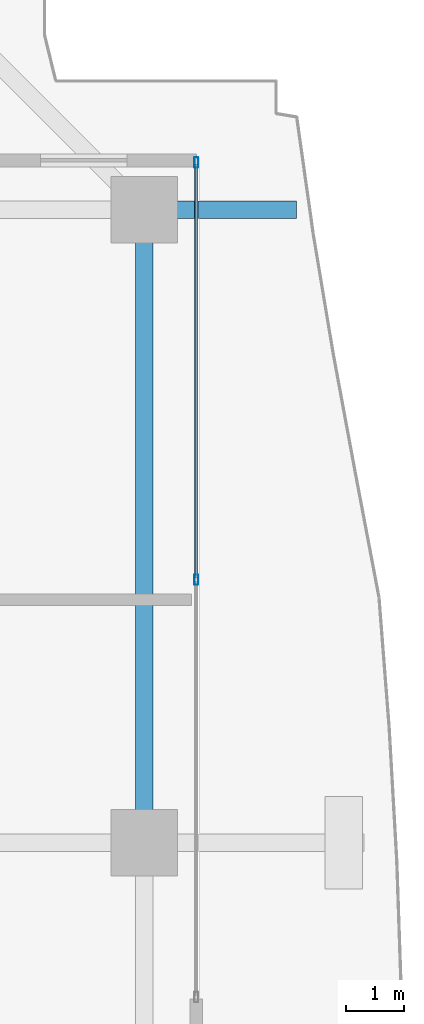
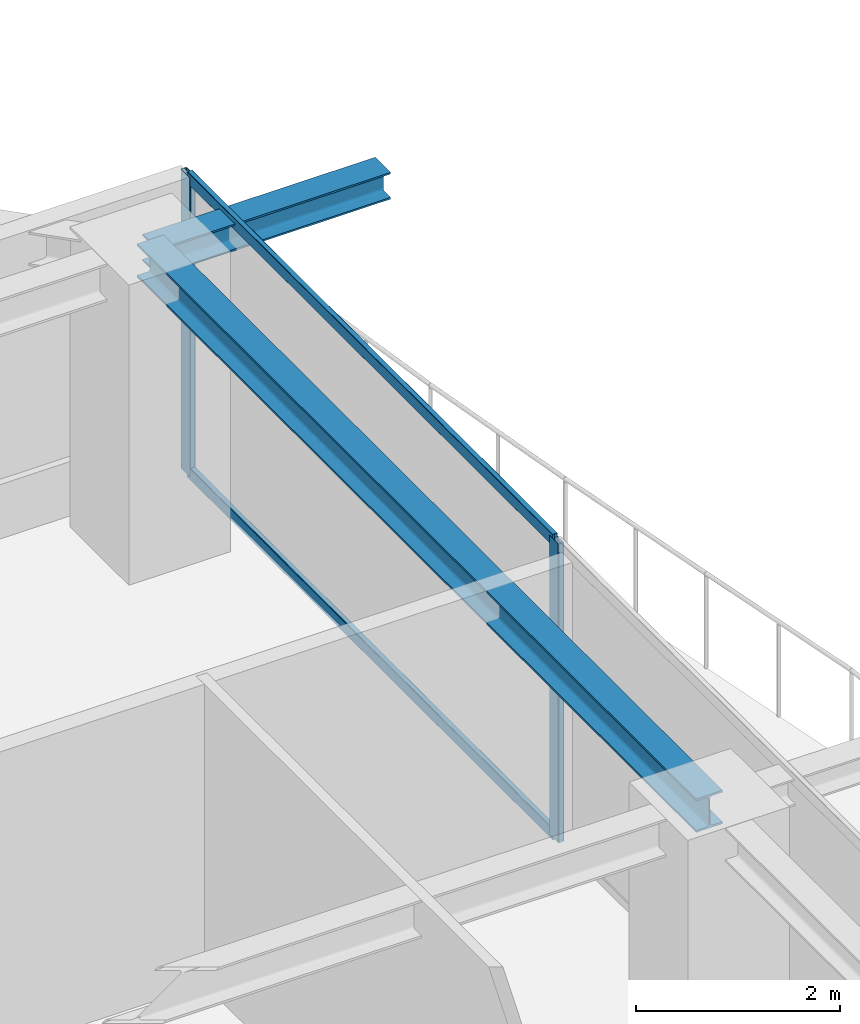
# One storey, part 23 of 37: 4 members, 2 beams, 1 element without a shape of its own.
"""IFC4 building model written with IfcOpenShell, lengths in metres."""

from ifc_helpers import new_model, si_unit, direction, frame, origin, origin_2d, place, context, subcontext, project, spatial, hollow_rectangle, i_section, extrude, source, transform, mapped, material, layer, layer_set, material_profile, profile_set, type_object, element, aggregate, save


model = new_model("IFC4")

# Units and contexts
model_context = context("Model", 3, precision=1e-05, world=origin(), true_north=direction((0.0, 1.0)))
body_context = subcontext(model_context, "Body", "Model", "MODEL_VIEW")
ifc_project = project(units=[si_unit("LENGTHUNIT", "METRE"), si_unit("AREAUNIT", "SQUARE_METRE"), si_unit("VOLUMEUNIT", "CUBIC_METRE"), si_unit("PLANEANGLEUNIT", "RADIAN"), si_unit("MASSUNIT", "GRAM", prefix="KILO")], contexts=[model_context])

# Site, building, storey
site_placement = place(None, origin())
site = spatial("IfcSite", under=ifc_project, at=site_placement, CompositionType="ELEMENT")
building_placement = place(site_placement, origin())
building = spatial("IfcBuilding", under=site, at=building_placement, Name="Serunith Strait Residences", CompositionType="ELEMENT")
storey_placement = place(building_placement, frame((0.0, 0.0, 275.89990234375)))
storey = spatial("IfcBuildingStorey", under=building, at=storey_placement, Name="L69", CompositionType="ELEMENT", Elevation=275.89990234375)

# Beams
ifc_material_1 = material(Name="Steel S355J2", Category="steel")
ifc_material_profile_1 = material_profile(ifc_material_1, i_section(OverallWidth=0.300048828125, OverallDepth=0.39990234375, WebThickness=0.013427734375, FlangeThickness=0.02392578125, FilletRadius=0.027099609375, at=origin_2d()), Name="HEB 400")
ifc_profile_set_1 = profile_set([ifc_material_profile_1], Name="Steel S355J2")
beam_type_1 = type_object("IfcBeamType", Name="BM-HEB400", PredefinedType="BEAM", material=ifc_profile_set_1)
shared_shape_1 = source(origin(), body_context, "Body", "SweptSolid", [
    extrude(i_section(OverallWidth=0.300048828125, OverallDepth=0.39990234375, WebThickness=0.013427734375, FlangeThickness=0.02392578125, FilletRadius=0.027099609375, at=origin_2d()), origin(), (0.0, 0.0, 1.0), 10.9501953125),
])
beam_1_placement = place(storey_placement, frame((56.5, 29.39990234375, 3.38720703125), z_axis=(0.0, 1.0, 0.0), x_axis=(-1.0, 0.0, 0.0)))
element("IfcBeam", 1, at=beam_1_placement, inside=storey, type_object=beam_type_1, Name="L69 Perimeter Ring Beam 07", PredefinedType="BEAM", context=body_context, shape_type="MappedRepresentation", body=[
    mapped(shared_shape_1, transform((0.0, 0.0, 0.0), scale=1.0)),
])
ifc_material_profile_2 = material_profile(ifc_material_1, i_section(OverallWidth=0.300048828125, OverallDepth=0.320068359375, WebThickness=0.011474609375, FlangeThickness=0.0205078125, FilletRadius=0.027099609375, at=origin_2d()), Name="HEB 320")
ifc_profile_set_2 = profile_set([ifc_material_profile_2], Name="Steel S355J2")
beam_type_2 = type_object("IfcBeamType", Name="BM-HEB320", PredefinedType="BEAM", material=ifc_profile_set_2)
shared_shape_2 = source(origin(), body_context, "Body", "SweptSolid", [
    extrude(i_section(OverallWidth=0.300048828125, OverallDepth=0.320068359375, WebThickness=0.011474609375, FlangeThickness=0.0205078125, FilletRadius=0.027099609375, at=origin_2d()), origin(), (0.0, 0.0, 1.0), 2.631103515625),
])
beam_2_placement = place(storey_placement, frame((56.5, 40.35009765625, 3.397216796875), z_axis=(1.0, 0.0, 0.0), x_axis=(0.0, 1.0, 0.0)))
element("IfcBeam", 2, at=beam_2_placement, inside=storey, type_object=beam_type_2, Name="L70 Cantilevered Balcony Rib TC-E4", PredefinedType="BEAM", context=body_context, shape_type="MappedRepresentation", body=[
    mapped(shared_shape_2, transform((0.0, 0.0, 0.0), scale=1.0)),
])

# Curtain wall, members
ifc_material_2 = material(Name="Pale-Champagne Anodised Aluminium", Category="aluminium")
ifc_layer = layer(ifc_material_2, 0.199951171875, Name="Pale-Champagne Anodised Aluminium")
ifc_layer_set = layer_set([ifc_layer], Name="Pale-Champagne Anodised Aluminium")
curtain_wall_type = type_object("IfcCurtainWallType", Name="CW-SYS4", PredefinedType="NOTDEFINED", material=ifc_layer_set)
curtain_wall_placement = place(storey_placement, origin())
curtain_wall = element("IfcCurtainWall", 3, at=curtain_wall_placement, inside=storey, type_object=curtain_wall_type, Name="L69 E Unitised Fritted Curtain Wall", PredefinedType="NOTDEFINED")
ifc_material_profile_3 = material_profile(ifc_material_2, hollow_rectangle(XDim=0.06005859375, YDim=0.139892578125, WallThickness=0.00341796875, InnerFilletRadius=0.00537109375, OuterFilletRadius=0.0087890625, at=origin_2d()), Name="ALU 140x60x3.5")
ifc_profile_set_3 = profile_set([ifc_material_profile_3], Name="Pale-Champagne Anodised Aluminium")
member_type_1 = type_object("IfcMemberType", Name="CW-SYS4-TRAN", PredefinedType="USERDEFINED", material=ifc_profile_set_3)
shared_shape_3 = source(origin(), body_context, "Body", "SweptSolid", [
    extrude(hollow_rectangle(XDim=0.06005859375, YDim=0.139892578125, WallThickness=0.00341796875, InnerFilletRadius=0.00537109375, OuterFilletRadius=0.0087890625, at=origin_2d()), origin(), (0.0, 0.0, 1.0), 7.152587890625),
])
member_1_placement = place(storey_placement, frame((57.39990234375, 33.982421875, 0.030029296875), z_axis=(0.0, 1.0, 0.0), x_axis=(-1.0, 0.0, 0.0)))
member_1 = element("IfcMember", 4, at=member_1_placement, type_object=member_type_1, Name="CW-4 transom 2.1", ObjectType="TRANSOM", PredefinedType="USERDEFINED", context=body_context, shape_type="MappedRepresentation", body=[
    mapped(shared_shape_3, transform((0.0, 0.0, 0.0), scale=1.0)),
])
member_2_placement = place(storey_placement, frame((57.39990234375, 33.982421875, 3.545166015625), z_axis=(0.0, 1.0, 0.0), x_axis=(-1.0, 0.0, 0.0)))
member_2 = element("IfcMember", 5, at=member_2_placement, type_object=member_type_1, Name="CW-4 transom 2.2", ObjectType="TRANSOM", PredefinedType="USERDEFINED", context=body_context, shape_type="MappedRepresentation", body=[
    mapped(shared_shape_3, transform((0.0, 0.0, 0.0), scale=1.0)),
])
ifc_material_profile_4 = material_profile(ifc_material_2, hollow_rectangle(XDim=0.06494140625, YDim=0.179931640625, WallThickness=0.00341796875, InnerFilletRadius=0.00537109375, OuterFilletRadius=0.0087890625, at=origin_2d()), Name="ALU 180x65x3.5")
ifc_profile_set_4 = profile_set([ifc_material_profile_4], Name="Pale-Champagne Anodised Aluminium")
member_type_2 = type_object("IfcMemberType", Name="CW-SYS4-MULL", PredefinedType="MULLION", material=ifc_profile_set_4)
shared_shape_4 = source(origin(), body_context, "Body", "SweptSolid", [
    extrude(hollow_rectangle(XDim=0.06494140625, YDim=0.179931640625, WallThickness=0.00341796875, InnerFilletRadius=0.00537109375, OuterFilletRadius=0.0087890625, at=origin_2d()), origin(), (0.0, 0.0, 1.0), 3.5751953125),
])
member_3_placement = place(storey_placement, frame((57.39990234375, 33.949951171875, 0.0), z_axis=(0.0, 0.0, 1.0), x_axis=(-1.0, 0.0, 0.0)))
member_3 = element("IfcMember", 6, at=member_3_placement, type_object=member_type_2, Name="CW-4 mullion 2", PredefinedType="MULLION", context=body_context, shape_type="MappedRepresentation", body=[
    mapped(shared_shape_4, transform((0.0, 0.0, 0.0), scale=1.0)),
])
member_4_placement = place(storey_placement, frame((57.39990234375, 41.16748046875, 0.0), z_axis=(0.0, 0.0, 1.0), x_axis=(-1.0, 0.0, 0.0)))
member_4 = element("IfcMember", 7, at=member_4_placement, type_object=member_type_2, Name="CW-4 mullion 3", PredefinedType="MULLION", context=body_context, shape_type="MappedRepresentation", body=[
    mapped(shared_shape_4, transform((0.0, 0.0, 0.0), scale=1.0)),
])
aggregate(curtain_wall, [member_3, member_4, member_1, member_2])

save(model, "model.ifc")
